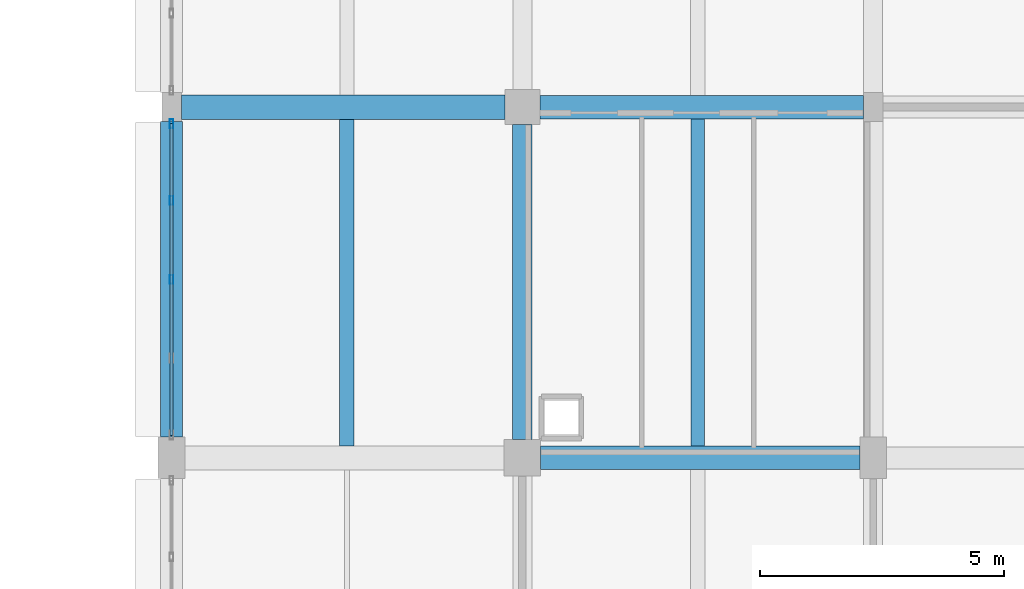
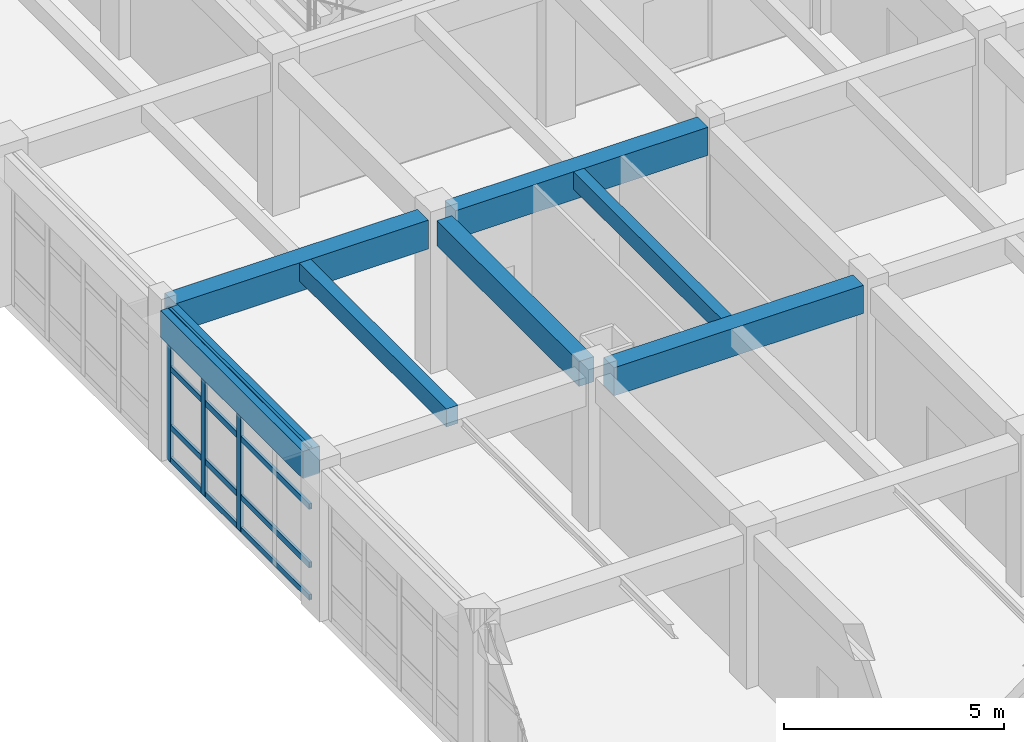
# One storey, part 106 of 171: 7 beams, 7 members, 1 element without a shape of its own.
"""IFC4 building model written with IfcOpenShell, lengths in metres."""

from ifc_helpers import new_model, si_unit, direction, frame, origin, origin_2d, place, context, subcontext, project, spatial, rectangle, hollow_rectangle, extrude, material, material_profile, profile_set, type_object, element, aggregate, save


model = new_model("IFC4")

# Units and contexts
model_context = context("Model", 3, precision=1e-05, world=origin(), true_north=direction((0.0, 1.0)))
body_context = subcontext(model_context, "Body", "Model", "MODEL_VIEW")
ifc_project = project(units=[si_unit("LENGTHUNIT", "METRE"), si_unit("AREAUNIT", "SQUARE_METRE"), si_unit("VOLUMEUNIT", "CUBIC_METRE"), si_unit("PLANEANGLEUNIT", "RADIAN"), si_unit("MASSUNIT", "GRAM", prefix="KILO")], contexts=[model_context])

# Site, building, storey
site_placement = place(None, origin())
site = spatial("IfcSite", under=ifc_project, at=site_placement, CompositionType="ELEMENT")
building_placement = place(site_placement, origin())
building = spatial("IfcBuilding", under=site, at=building_placement, Name="Thalmaran Polytechnic", CompositionType="ELEMENT")
storey_placement = place(building_placement, frame((0.0, 0.0, 5.39990234375)))
storey = spatial("IfcBuildingStorey", under=building, at=storey_placement, Name="L01", CompositionType="ELEMENT", Elevation=5.39990234375)

# Beams
ifc_material_1 = material(Name="Concrete C40/50", Category="concrete")
ifc_material_profile_1 = material_profile(ifc_material_1, rectangle(XDim=0.5, YDim=0.800048828125, at=origin_2d()), Name="RC 500x800")
ifc_profile_set_1 = profile_set([ifc_material_profile_1], Name="Concrete C40/50")
beam_type_1 = type_object("IfcBeamType", Name="BM-RC02", PredefinedType="BEAM", material=ifc_profile_set_1)
beam_1_placement = place(storey_placement, frame((129.800048828125, 79.199951171875, 3.81005859375), z_axis=(1.0, 0.0, 0.0), x_axis=(0.0, 1.0, 0.0)))
element("IfcBeam", 1, at=beam_1_placement, inside=storey, type_object=beam_type_1, Name="Grid Beam B02 L01 X(18,11)", PredefinedType="BEAM", context=body_context, shape_type="SweptSolid", body=[
    extrude(rectangle(XDim=0.5, YDim=0.800048828125, at=origin_2d()), origin(), (0.0, 0.0, 1.0), 6.639892578125),
])
ifc_material_profile_2 = material_profile(ifc_material_1, rectangle(XDim=0.300048828125, YDim=0.5, at=origin_2d()), Name="RC 300x500")
ifc_profile_set_2 = profile_set([ifc_material_profile_2], Name="Concrete C40/50")
beam_type_2 = type_object("IfcBeamType", Name="BM-RC11", PredefinedType="JOIST", material=ifc_profile_set_2)
beam_2_placement = place(storey_placement, frame((133.199951171875, 72.25, 3.960205078125), z_axis=(0.0, 1.0, 0.0), x_axis=(-1.0, 0.0, 0.0)))
element("IfcBeam", 2, at=beam_2_placement, inside=storey, type_object=beam_type_2, Name="Secondary Floor Rib RB01 L01 (18,10)", PredefinedType="JOIST", context=body_context, shape_type="SweptSolid", body=[
    extrude(rectangle(XDim=0.300048828125, YDim=0.5, at=origin_2d()), origin(), (0.0, 0.0, 1.0), 6.699951171875),
])
ifc_material_profile_3 = material_profile(ifc_material_1, rectangle(XDim=0.449951171875, YDim=0.7548828125, at=origin_2d()), Name="RC 450x755")
ifc_profile_set_3 = profile_set([ifc_material_profile_3], Name="Concrete C40/50")
beam_type_3 = type_object("IfcBeamType", Name="BM-SP02", PredefinedType="SPANDREL", material=ifc_profile_set_3)
beam_3_placement = place(storey_placement, frame((129.60009765625, 72.425048828125, 3.83251953125), z_axis=(0.0, 1.0, 0.0), x_axis=(-1.0, 0.0, 0.0)))
element("IfcBeam", 3, at=beam_3_placement, inside=storey, type_object=beam_type_3, Name="Grid Beam SP02 L01 Y(18,10)", PredefinedType="SPANDREL", context=body_context, shape_type="SweptSolid", body=[
    extrude(rectangle(XDim=0.449951171875, YDim=0.7548828125, at=origin_2d()), origin(), (0.0, 0.0, 1.0), 6.474853515625),
])
ifc_material_profile_4 = material_profile(ifc_material_1, rectangle(XDim=0.47998046875, YDim=0.780029296875, at=origin_2d()), Name="RC 480x780")
ifc_profile_set_4 = profile_set([ifc_material_profile_4], Name="Concrete C40/50")
beam_type_4 = type_object("IfcBeamType", Name="BM-ZB01", PredefinedType="BEAM", material=ifc_profile_set_4)
beam_4_placement = place(storey_placement, frame((137.175048828125, 72.0, 3.820068359375), z_axis=(1.0, 0.0, 0.0), x_axis=(0.0, 1.0, 0.0)))
element("IfcBeam", 4, at=beam_4_placement, inside=storey, type_object=beam_type_4, Name="Grid Beam ZB01 L01 X(19,10)", PredefinedType="BEAM", context=body_context, shape_type="SweptSolid", body=[
    extrude(rectangle(XDim=0.47998046875, YDim=0.780029296875, at=origin_2d()), origin(), (0.0, 0.0, 1.0), 6.550048828125),
])
beam_5_placement = place(storey_placement, frame((137.159912109375, 79.199951171875, 3.820068359375), z_axis=(1.0, 0.0, 0.0), x_axis=(0.0, 1.0, 0.0)))
element("IfcBeam", 5, at=beam_5_placement, inside=storey, type_object=beam_type_4, Name="Grid Beam ZB01 L01 X(19,11)", PredefinedType="BEAM", context=body_context, shape_type="SweptSolid", body=[
    extrude(rectangle(XDim=0.47998046875, YDim=0.780029296875, at=origin_2d()), origin(), (0.0, 0.0, 1.0), 6.64013671875),
])
ifc_material_profile_5 = material_profile(ifc_material_1, rectangle(XDim=0.39990234375, YDim=0.695068359375, at=origin_2d()), Name="RC 400x695")
ifc_profile_set_5 = profile_set([ifc_material_profile_5], Name="Concrete C40/50")
beam_type_5 = type_object("IfcBeamType", Name="BM-ZB08", PredefinedType="BEAM", material=ifc_profile_set_5)
beam_6_placement = place(storey_placement, frame((136.800048828125, 72.375, 3.862548828125), z_axis=(0.0, 1.0, 0.0), x_axis=(-1.0, 0.0, 0.0)))
element("IfcBeam", 6, at=beam_6_placement, inside=storey, type_object=beam_type_5, Name="Grid Beam ZB08 L01 Y(19,10)", PredefinedType="BEAM", context=body_context, shape_type="SweptSolid", body=[
    extrude(rectangle(XDim=0.39990234375, YDim=0.695068359375, at=origin_2d()), origin(), (0.0, 0.0, 1.0), 6.465087890625),
])
ifc_material_profile_6 = material_profile(ifc_material_1, rectangle(XDim=0.280029296875, YDim=0.47998046875, at=origin_2d()), Name="RC 280x480")
ifc_profile_set_6 = profile_set([ifc_material_profile_6], Name="Concrete C40/50")
beam_type_6 = type_object("IfcBeamType", Name="BM-ZJ01", PredefinedType="JOIST", material=ifc_profile_set_6)
beam_7_placement = place(storey_placement, frame((140.39990234375, 72.239990234375, 3.97021484375), z_axis=(0.0, 1.0, 0.0), x_axis=(-1.0, 0.0, 0.0)))
element("IfcBeam", 7, at=beam_7_placement, inside=storey, type_object=beam_type_6, Name="Secondary Floor Rib ZJ01 L01 (19,10)", PredefinedType="JOIST", context=body_context, shape_type="SweptSolid", body=[
    extrude(rectangle(XDim=0.280029296875, YDim=0.47998046875, at=origin_2d()), origin(), (0.0, 0.0, 1.0), 6.719970703125),
])

# Curtain wall, members
ifc_material_2 = material(Name="Aluminium 6063-T6", Category="aluminium")
curtain_wall_type = type_object("IfcCurtainWallType", Name="CW-UC02", PredefinedType="USERDEFINED", material=ifc_material_2)
curtain_wall_placement = place(storey_placement, origin())
curtain_wall = element("IfcCurtainWall", 8, at=curtain_wall_placement, inside=storey, type_object=curtain_wall_type, Name="Curtain Wall CW-L01-182", ObjectType="UNITISED CURTAIN WALL", PredefinedType="USERDEFINED")
ifc_material_profile_7 = material_profile(ifc_material_2, hollow_rectangle(XDim=0.080078125, YDim=0.179931640625, WallThickness=0.0048828125, at=origin_2d()), Name="RHS 180x80x5.0")
ifc_profile_set_7 = profile_set([ifc_material_profile_7], Name="Aluminium 6063-T6")
member_type_1 = type_object("IfcMemberType", Name="CW-MUL1", PredefinedType="MULLION", material=ifc_profile_set_7)
member_1_placement = place(storey_placement, frame((129.60009765625, 75.66259765625, 0.0), z_axis=(0.0, 0.0, 1.0), x_axis=(1.0, 0.0, 0.0)))
member_1 = element("IfcMember", 9, at=member_1_placement, type_object=member_type_1, Name="CW-L01-182 Mullion 3", PredefinedType="MULLION", context=body_context, shape_type="SweptSolid", body=[
    extrude(hollow_rectangle(XDim=0.080078125, YDim=0.179931640625, WallThickness=0.0048828125, at=origin_2d()), origin(), (0.0, 0.0, 1.0), 4.210205078125),
])
member_2_placement = place(storey_placement, frame((129.60009765625, 77.28125, 0.0), z_axis=(0.0, 0.0, 1.0), x_axis=(1.0, 0.0, 0.0)))
member_2 = element("IfcMember", 10, at=member_2_placement, type_object=member_type_1, Name="CW-L01-182 Mullion 4", PredefinedType="MULLION", context=body_context, shape_type="SweptSolid", body=[
    extrude(hollow_rectangle(XDim=0.080078125, YDim=0.179931640625, WallThickness=0.0048828125, at=origin_2d()), origin(), (0.0, 0.0, 1.0), 4.210205078125),
])
member_3_placement = place(storey_placement, frame((129.60009765625, 78.860107421875, 0.0), z_axis=(0.0, 0.0, 1.0), x_axis=(1.0, 0.0, 0.0)))
member_3 = element("IfcMember", 11, at=member_3_placement, type_object=member_type_1, Name="CW-L01-182 Mullion 5", PredefinedType="MULLION", context=body_context, shape_type="SweptSolid", body=[
    extrude(hollow_rectangle(XDim=0.080078125, YDim=0.179931640625, WallThickness=0.0048828125, at=origin_2d()), origin(), (0.0, 0.0, 1.0), 4.210205078125),
])
ifc_material_profile_8 = material_profile(ifc_material_2, hollow_rectangle(XDim=0.070068359375, YDim=0.159912109375, WallThickness=0.00390625, at=origin_2d()), Name="AL 160x70x4.0")
ifc_profile_set_8 = profile_set([ifc_material_profile_8], Name="Aluminium 6063-T6")
member_type_2 = type_object("IfcMemberType", Name="CW-TRN1", PredefinedType="USERDEFINED", material=ifc_profile_set_8)
member_4_placement = place(storey_placement, frame((129.60009765625, 72.465087890625, 0.06005859375), z_axis=(0.0, 1.0, 0.0), x_axis=(-1.0, 0.0, 0.0)))
member_4 = element("IfcMember", 12, at=member_4_placement, type_object=member_type_2, Name="CW-L01-182 Transom 1", ObjectType="TRANSOM", PredefinedType="USERDEFINED", context=body_context, shape_type="SweptSolid", body=[
    extrude(hollow_rectangle(XDim=0.070068359375, YDim=0.159912109375, WallThickness=0.00390625, at=origin_2d()), origin(), (0.0, 0.0, 1.0), 6.39501953125),
])
member_5_placement = place(storey_placement, frame((129.60009765625, 72.465087890625, 0.960205078125), z_axis=(0.0, 1.0, 0.0), x_axis=(-1.0, 0.0, 0.0)))
member_5 = element("IfcMember", 13, at=member_5_placement, type_object=member_type_2, Name="CW-L01-182 Transom 2", ObjectType="TRANSOM", PredefinedType="USERDEFINED", context=body_context, shape_type="SweptSolid", body=[
    extrude(hollow_rectangle(XDim=0.070068359375, YDim=0.159912109375, WallThickness=0.00390625, at=origin_2d()), origin(), (0.0, 0.0, 1.0), 6.39501953125),
])
member_6_placement = place(storey_placement, frame((129.60009765625, 72.465087890625, 2.585205078125), z_axis=(0.0, 1.0, 0.0), x_axis=(-1.0, 0.0, 0.0)))
member_6 = element("IfcMember", 14, at=member_6_placement, type_object=member_type_2, Name="CW-L01-182 Transom 3", ObjectType="TRANSOM", PredefinedType="USERDEFINED", context=body_context, shape_type="SweptSolid", body=[
    extrude(hollow_rectangle(XDim=0.070068359375, YDim=0.159912109375, WallThickness=0.00390625, at=origin_2d()), origin(), (0.0, 0.0, 1.0), 6.39501953125),
])
member_7_placement = place(storey_placement, frame((129.60009765625, 72.465087890625, 4.150146484375), z_axis=(0.0, 1.0, 0.0), x_axis=(-1.0, 0.0, 0.0)))
member_7 = element("IfcMember", 15, at=member_7_placement, type_object=member_type_2, Name="CW-L01-182 Transom 4", ObjectType="TRANSOM", PredefinedType="USERDEFINED", context=body_context, shape_type="SweptSolid", body=[
    extrude(hollow_rectangle(XDim=0.070068359375, YDim=0.159912109375, WallThickness=0.00390625, at=origin_2d()), origin(), (0.0, 0.0, 1.0), 6.39501953125),
])
aggregate(curtain_wall, [member_1, member_2, member_3, member_4, member_5, member_6, member_7])

save(model, "model.ifc")
